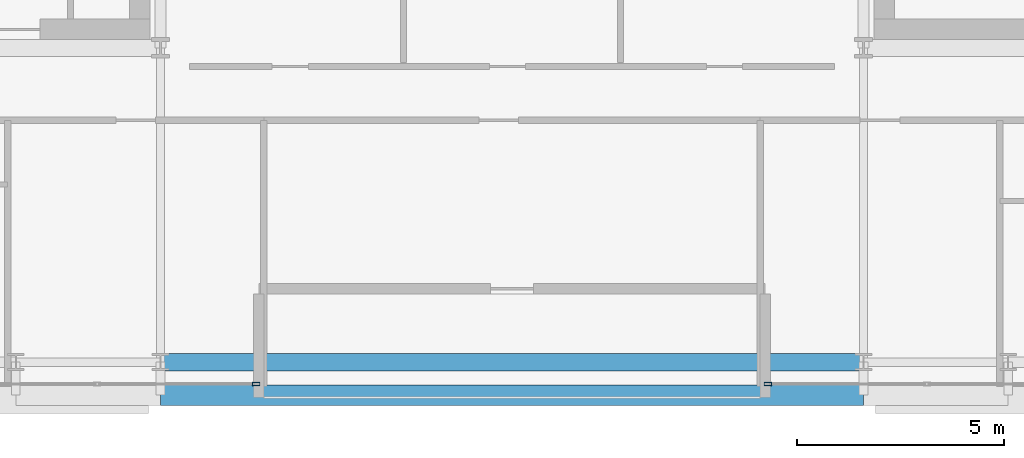
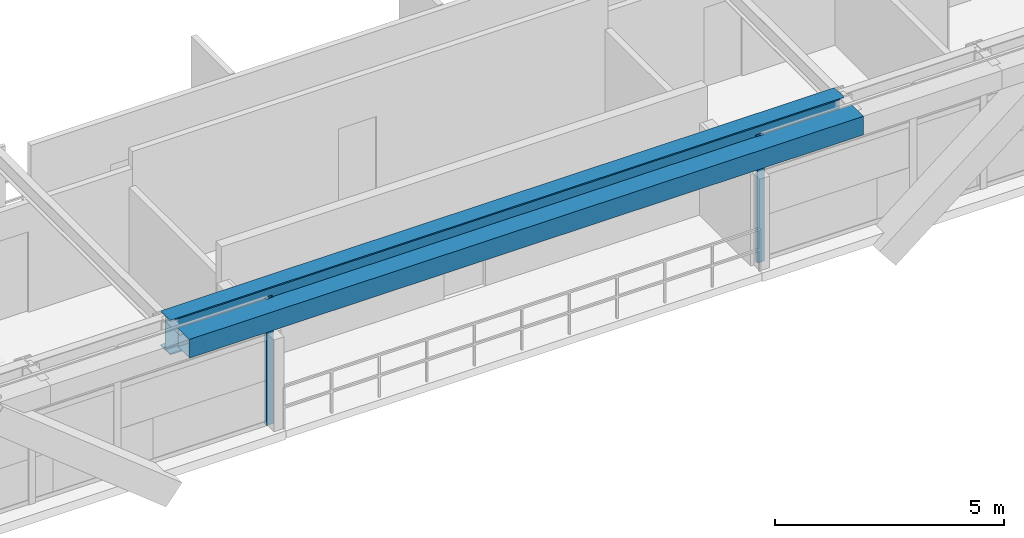
# One storey, part 6 of 31: 2 beams, 2 members, 2 elements without a shape of their own.
"""IFC4 building model written with IfcOpenShell, lengths in metres."""

from ifc_helpers import new_model, si_unit, direction, frame, origin, origin_2d, place, context, subcontext, project, spatial, hollow_rectangle, i_section, extrude, source, transform, mapped, material, layer, layer_set, material_profile, profile_set, type_object, element, aggregate, save


model = new_model("IFC4")

# Units and contexts
model_context = context("Model", 3, precision=1e-05, world=origin(), true_north=direction((0.0, 1.0)))
body_context = subcontext(model_context, "Body", "Model", "MODEL_VIEW")
ifc_project = project(units=[si_unit("LENGTHUNIT", "METRE"), si_unit("AREAUNIT", "SQUARE_METRE"), si_unit("VOLUMEUNIT", "CUBIC_METRE"), si_unit("PLANEANGLEUNIT", "RADIAN"), si_unit("MASSUNIT", "GRAM", prefix="KILO")], contexts=[model_context])

# Site, building, storey
site_placement = place(None, origin())
site = spatial("IfcSite", under=ifc_project, at=site_placement, CompositionType="ELEMENT")
building_placement = place(site_placement, origin())
building = spatial("IfcBuilding", under=site, at=building_placement, Name="Ocotamira Hotel", CompositionType="ELEMENT")
storey_placement = place(building_placement, frame((0.0, 0.0, 188.39990234375)))
storey = spatial("IfcBuildingStorey", under=building, at=storey_placement, Name="L47", CompositionType="ELEMENT", Elevation=188.39990234375)

# Beams
ifc_material_1 = material(Name="Steel ASTM A992 Grade 50", Category="steel")
ifc_material_profile_1 = material_profile(ifc_material_1, i_section(OverallWidth=0.41796875, OverallDepth=0.927001953125, WebThickness=0.019287109375, FlangeThickness=0.031982421875, FilletRadius=0.02392578125, at=origin_2d()), Name="W36X231")
ifc_profile_set_1 = profile_set([ifc_material_profile_1], Name="Steel ASTM A992 Grade 50")
beam_type_1 = type_object("IfcBeamType", Name="BM-GIRD-W36X231", PredefinedType="BEAM", material=ifc_profile_set_1)
shared_shape_1 = source(origin(), body_context, "Body", "SweptSolid", [
    extrude(i_section(OverallWidth=0.41796875, OverallDepth=0.927001953125, WebThickness=0.019287109375, FlangeThickness=0.031982421875, FilletRadius=0.02392578125, at=origin_2d()), origin(), (0.0, 0.0, 1.0), 17.0),
])
beam_1_placement = place(storey_placement, frame((23.5, 6.949951171875, 2.906494140625), z_axis=(1.0, 0.0, 0.0), x_axis=(0.0, 1.0, 0.0)))
element("IfcBeam", 1, at=beam_1_placement, inside=storey, type_object=beam_type_1, Name="L47 Girder Y6.95 X23.5-40.5", PredefinedType="BEAM", context=body_context, shape_type="MappedRepresentation", body=[
    mapped(shared_shape_1, transform((0.0, 0.0, 0.0), scale=1.0)),
])
ifc_material_2 = material(Name="Steel ASTM A500 Grade C", Category="steel")
ifc_material_profile_2 = material_profile(ifc_material_2, hollow_rectangle(XDim=0.5, YDim=0.5, WallThickness=0.02001953125, at=origin_2d()), Name="HSS500X500X20")
ifc_profile_set_2 = profile_set([ifc_material_profile_2], Name="Steel ASTM A500 Grade C")
beam_type_2 = type_object("IfcBeamType", Name="BM-SPAN-HSS500", PredefinedType="USERDEFINED", material=ifc_profile_set_2)
shared_shape_2 = source(origin(), body_context, "Body", "SweptSolid", [
    extrude(hollow_rectangle(XDim=0.5, YDim=0.5, WallThickness=0.02001953125, at=origin_2d()), origin(), (0.0, 0.0, 1.0), 17.0),
])
beam_2_placement = place(storey_placement, frame((23.5, 6.14990234375, 3.1201171875), z_axis=(1.0, 0.0, 0.0), x_axis=(0.0, 1.0, 0.0)))
element("IfcBeam", 2, at=beam_2_placement, inside=storey, type_object=beam_type_2, Name="L47 Edge Spandrel S X23.5-40.5", ObjectType="SPANDREL", PredefinedType="USERDEFINED", context=body_context, shape_type="MappedRepresentation", body=[
    mapped(shared_shape_2, transform((0.0, 0.0, 0.0), scale=1.0)),
])

# Curtain wall, member
ifc_material_3 = material(Name="Anodised pale-metal aluminium and solar glass", Category="aluminium")
ifc_layer = layer(ifc_material_3, 0.199951171875)
ifc_layer_set = layer_set([ifc_layer], Name="Anodised pale-metal aluminium and solar glass")
curtain_wall_type = type_object("IfcCurtainWallType", Name="CW-SYS4-Z3", PredefinedType="NOTDEFINED", material=ifc_layer_set)
curtain_wall_1_placement = place(storey_placement, origin())
curtain_wall_1 = element("IfcCurtainWall", 3, at=curtain_wall_1_placement, inside=storey, type_object=curtain_wall_type, Name="L47 Curtain Wall CW-4 CW-L47-S1", PredefinedType="NOTDEFINED")
ifc_material_4 = material(Name="Anodised pale-metal aluminium 6063-T6", Category="aluminium")
ifc_material_profile_3 = material_profile(ifc_material_4, hollow_rectangle(XDim=0.080078125, YDim=0.179931640625, WallThickness=0.006103515625, at=origin_2d()), Name="HSS180X80X6")
ifc_profile_set_3 = profile_set([ifc_material_profile_3], Name="Anodised pale-metal aluminium 6063-T6")
member_type = type_object("IfcMemberType", Name="CWM-180X75", PredefinedType="MULLION", material=ifc_profile_set_3)
shared_shape_3 = source(origin(), body_context, "Body", "SweptSolid", [
    extrude(hollow_rectangle(XDim=0.080078125, YDim=0.179931640625, WallThickness=0.006103515625, at=origin_2d()), origin(), (0.0, 0.0, 1.0), 3.3701171875),
])
member_1_placement = place(storey_placement, frame((25.81005859375, 6.419921875, 0.0), z_axis=(0.0, 0.0, 1.0), x_axis=(0.0, 1.0, 0.0)))
member_1 = element("IfcMember", 4, at=member_1_placement, type_object=member_type, Name="CW-4 mullion 4", PredefinedType="MULLION", context=body_context, shape_type="MappedRepresentation", body=[
    mapped(shared_shape_3, transform((0.0, 0.0, 0.0), scale=1.0)),
])
aggregate(curtain_wall_1, [member_1])

curtain_wall_2_placement = place(storey_placement, origin())
curtain_wall_2 = element("IfcCurtainWall", 5, at=curtain_wall_2_placement, inside=storey, type_object=curtain_wall_type, Name="L47 Curtain Wall CW-4 CW-L47-S2", PredefinedType="NOTDEFINED")
member_2_placement = place(storey_placement, frame((38.18994140625, 6.419921875, 0.0), z_axis=(0.0, 0.0, 1.0), x_axis=(0.0, 1.0, 0.0)))
member_2 = element("IfcMember", 6, at=member_2_placement, type_object=member_type, Name="CW-4 mullion 1", PredefinedType="MULLION", context=body_context, shape_type="MappedRepresentation", body=[
    mapped(shared_shape_3, transform((0.0, 0.0, 0.0), scale=1.0)),
])
aggregate(curtain_wall_2, [member_2])

save(model, "model.ifc")
